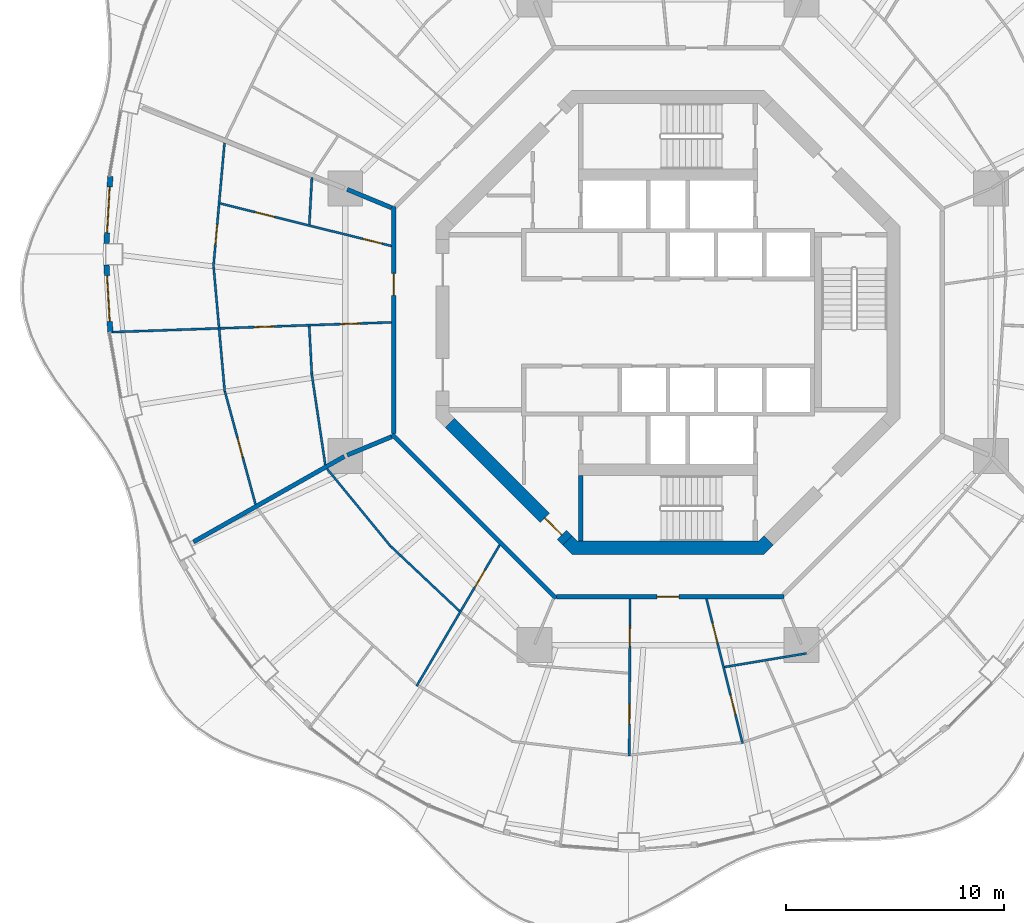
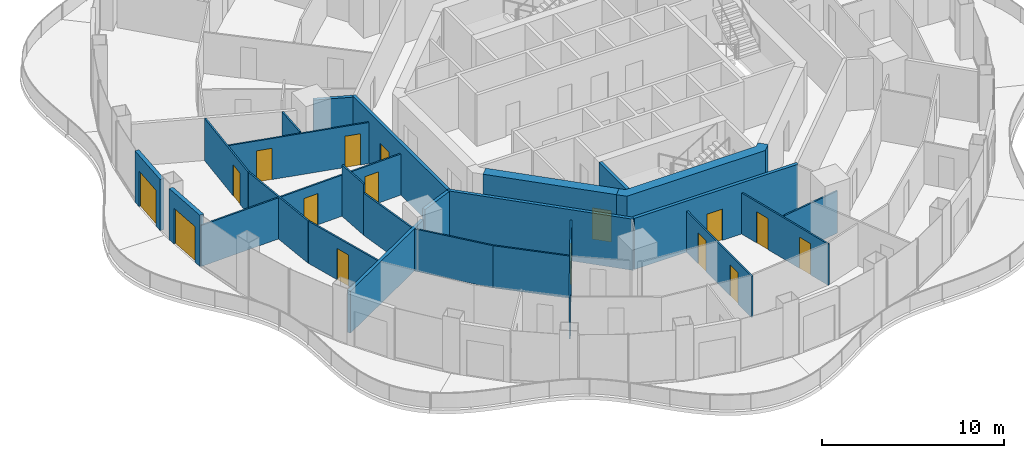
# One storey, part 10 of 18: 25 walls, 16 doors, 16 openings.
"""IFC4 building model written with IfcOpenShell, lengths in metres."""

import ifcopenshell
import ifcopenshell.guid

model = None  # the IFC model being written
_history = None  # IfcOwnerHistory: only IFC2X3 demands one
_inside = {}  # id of a spatial element -> (the spatial element, [elements in it])
_under = {}  # id of a project, library or spatial element -> (it, [spatial elements below it])
_declared = {}  # id of a project -> (the project, [libraries it declares])
_typed = {}  # id of a type object -> (the type object, [elements of that type])
_made_of = {}  # id of a material, layer set ... -> (it, [elements and type objects made of it])


def new_model(schema):
    """Start an empty IFC model of exactly this schema.

    Asked for "IFC4X3", IfcOpenShell would pick the latest addendum, in which some entities
    have other attributes; the version numbers below select the first issue.
    IFC2X3 requires an IfcOwnerHistory on every rooted entity: one is made here for all.
    """
    global model, _history
    if schema == "IFC4X3":
        model = ifcopenshell.file(schema_version=(4, 3, 0, 0))
    else:
        model = ifcopenshell.file(schema=schema)
    _inside.clear()
    _under.clear()
    _declared.clear()
    _typed.clear()
    _made_of.clear()
    _history = None
    if model.schema == "IFC2X3":
        org = make("IfcOrganization", Name="unknown")
        user = make(
            "IfcPersonAndOrganization",
            ThePerson=make("IfcPerson", FamilyName="unknown"),
            TheOrganization=org,
        )
        app = make(
            "IfcApplication",
            ApplicationDeveloper=org,
            Version="unknown",
            ApplicationFullName="unknown",
            ApplicationIdentifier="unknown",
        )
        _history = make(
            "IfcOwnerHistory",
            OwningUser=user,
            OwningApplication=app,
            ChangeAction="ADDED",
            CreationDate=0,
        )
    return model


def make(cls, **values):
    """One entity of the class cls with the attributes given. An attribute that is None is left unset."""
    return model.create_entity(
        cls, **{name: value for name, value in values.items() if value is not None}
    )


def rooted(cls, **values):
    """An entity with a GlobalId (a new one), such as an element, a storey or a relation."""
    return make(cls, GlobalId=ifcopenshell.guid.new(), OwnerHistory=_history, **values)


def si_unit(unit_type, name, prefix=None):
    """IfcSIUnit, for example si_unit("LENGTHUNIT", "METRE", prefix="MILLI")."""
    return make("IfcSIUnit", UnitType=unit_type, Prefix=prefix, Name=name)


def assignment(units):
    """IfcUnitAssignment: the units of a project."""
    return None if units is None else make("IfcUnitAssignment", Units=units)


def point(xyz):
    """IfcCartesianPoint."""
    return None if xyz is None else make("IfcCartesianPoint", Coordinates=xyz)


def direction(xyz):
    """IfcDirection."""
    return None if xyz is None else make("IfcDirection", DirectionRatios=xyz)


def frame(location, z_axis=None, x_axis=None):
    """IfcAxis2Placement3D, a coordinate frame: its origin and axes. An axis left out is left unset."""
    return make(
        "IfcAxis2Placement3D",
        Location=point(location),
        Axis=direction(z_axis),
        RefDirection=direction(x_axis),
    )


def frame_2d(location, x_axis=None):
    """IfcAxis2Placement2D, a coordinate frame in the plane: its origin and x axis."""
    return make(
        "IfcAxis2Placement2D", Location=point(location), RefDirection=direction(x_axis)
    )


def origin():
    """The frame at (0, 0, 0) with its axes left unset."""
    return frame((0.0, 0.0, 0.0))


def place(relative_to, where):
    """IfcLocalPlacement: puts the frame where relative to a parent placement (None: the world)."""
    return make(
        "IfcLocalPlacement", PlacementRelTo=relative_to, RelativePlacement=where
    )


def context(
    kind, dimensions, precision=None, world=None, true_north=None, identifier=None
):
    """IfcGeometricRepresentationContext, for example the 3D "Model" context."""
    return make(
        "IfcGeometricRepresentationContext",
        ContextIdentifier=identifier,
        ContextType=kind,
        CoordinateSpaceDimension=dimensions,
        Precision=precision,
        WorldCoordinateSystem=world,
        TrueNorth=true_north,
    )


def subcontext(parent, identifier, kind, view, scale=None):
    """IfcGeometricRepresentationSubContext, for example "Body" below "Model"."""
    return make(
        "IfcGeometricRepresentationSubContext",
        ContextIdentifier=identifier,
        ContextType=kind,
        ParentContext=parent,
        TargetScale=scale,
        TargetView=view,
    )


def project(units=None, contexts=None):
    """IfcProject with its units and contexts."""
    return rooted(
        "IfcProject",
        Name="project",
        RepresentationContexts=contexts,
        UnitsInContext=assignment(units),
    )


def spatial(cls, under=None, at=None, **own):
    """A site, building, storey or space (cls), placed at a placement, below another one or the project."""
    s = rooted(cls, ObjectPlacement=at, **own)
    if under is not None:
        _under.setdefault(under.id(), (under, []))[1].append(s)
    return s


def polyline(points):
    """IfcPolyline through the points."""
    return make("IfcPolyline", Points=[point(p) for p in points])


def profile(cls, at=None, kind="AREA", **sizes):
    """A parametric profile (cls). Its sizes go by their IFC names, for example OverallWidth=200.0."""
    return make(cls, ProfileType=kind, Position=at, **sizes)


def rectangle(**sizes):
    """IfcRectangleProfileDef."""
    return profile("IfcRectangleProfileDef", **sizes)


def outline(outer, holes=None, kind="AREA"):
    """IfcArbitraryClosedProfileDef: a profile drawn as a closed curve; with holes, ...WithVoids."""
    if holes is None:
        return make("IfcArbitraryClosedProfileDef", ProfileType=kind, OuterCurve=outer)
    return make(
        "IfcArbitraryProfileDefWithVoids",
        ProfileType=kind,
        OuterCurve=outer,
        InnerCurves=holes,
    )


def extrude(swept, where, along, depth):
    """IfcExtrudedAreaSolid: the profile swept, set in the frame where, extruded along a direction by depth."""
    return make(
        "IfcExtrudedAreaSolid",
        SweptArea=swept,
        Position=where,
        ExtrudedDirection=direction(along),
        Depth=depth,
    )


def shape(context_of_items, identifier, shape_type, items):
    """IfcShapeRepresentation: the items that make up one representation, for example the "Body"."""
    return make(
        "IfcShapeRepresentation",
        ContextOfItems=context_of_items,
        RepresentationIdentifier=identifier,
        RepresentationType=shape_type,
        Items=items,
    )


def material(Name=None, Category=None):
    """IfcMaterial."""
    return make("IfcMaterial", Name=Name, Category=Category)


def layer(
    of_material, thickness, ventilated=None, Name=None, Category=None, Priority=None
):
    """IfcMaterialLayer: one layer of a wall or slab, of a material (None: an air gap)."""
    return make(
        "IfcMaterialLayer",
        Material=of_material,
        LayerThickness=thickness,
        IsVentilated=ventilated,
        Name=Name,
        Category=Category,
        Priority=Priority,
    )


def layer_set(layers, Name=None):
    """IfcMaterialLayerSet."""
    return make("IfcMaterialLayerSet", MaterialLayers=layers, LayerSetName=Name)


def made_of(thing, what):
    """Note that an element or type object is made of a material, layer set ...; save() writes the relation."""
    if what is not None:
        _made_of.setdefault(what.id(), (what, []))[1].append(thing)
    return thing


def type_object(cls, material=None, **own):
    """A type object (cls), such as IfcWallType, which elements share."""
    return made_of(rooted(cls, **own), material)


def element(
    cls,
    number,
    at=None,
    inside=None,
    cuts=None,
    type_object=None,
    material=None,
    context=None,
    identifier="Body",
    shape_type=None,
    held_by="IfcProductDefinitionShape",
    body=None,
    shapes=None,
    **own,
):
    """One element of the class cls, such as IfcWall. Its Tag is "e" and its number.

    at: its placement. inside: the storey or other place that contains it. cuts: it is an
    opening in that element (IfcRelVoidsElement). A single representation is given by context,
    identifier, shape_type and body (its items); several are given by shapes. held_by: the class
    of the entity that holds the representations. save() writes the other relations.
    """
    e = rooted(cls, Tag="e%d" % number, ObjectPlacement=at, **own)
    if body is not None:
        shapes = [shape(context, identifier, shape_type, body)]
    if shapes is not None:
        e.Representation = make(held_by, Representations=shapes)
    if inside is not None:
        _inside.setdefault(inside.id(), (inside, []))[1].append(e)
    if cuts is not None:
        rooted(
            "IfcRelVoidsElement", RelatingBuildingElement=cuts, RelatedOpeningElement=e
        )
    if type_object is not None:
        _typed.setdefault(type_object.id(), (type_object, []))[1].append(e)
    return made_of(e, material)


def fill(opening, filler):
    """IfcRelFillsElement: the door or window that sits in an opening."""
    return rooted(
        "IfcRelFillsElement",
        RelatingOpeningElement=opening,
        RelatedBuildingElement=filler,
    )


def aggregate(whole, parts):
    """IfcRelAggregates: a whole, such as a stair, and the parts it consists of."""
    return rooted("IfcRelAggregates", RelatingObject=whole, RelatedObjects=parts)


def save(model, path):
    """Write the relations noted so far, then the file.

    IfcRelAggregates (storeys below a building ...), IfcRelContainedInSpatialStructure (elements
    in a storey), IfcRelDefinesByType, IfcRelAssociatesMaterial and IfcRelDeclares: one each for
    every whole, place, type object, material and project.
    """
    for whole, parts in _under.values():
        aggregate(whole, parts)
    for where, things in _inside.values():
        rooted(
            "IfcRelContainedInSpatialStructure",
            RelatedElements=things,
            RelatingStructure=where,
        )
    for kind, things in _typed.values():
        rooted("IfcRelDefinesByType", RelatedObjects=things, RelatingType=kind)
    for what, things in _made_of.values():
        rooted("IfcRelAssociatesMaterial", RelatedObjects=things, RelatingMaterial=what)
    for by, libraries in _declared.values():
        rooted("IfcRelDeclares", RelatingContext=by, RelatedDefinitions=libraries)
    model.write(path)


model = new_model("IFC4")

# Units and contexts
model_context = context("Model", 3, precision=1e-05, world=origin(), true_north=direction((0.0, 1.0)))
body_context = subcontext(model_context, "Body", "Model", "MODEL_VIEW")
ifc_project = project(units=[si_unit("LENGTHUNIT", "METRE"), si_unit("AREAUNIT", "SQUARE_METRE"), si_unit("VOLUMEUNIT", "CUBIC_METRE"), si_unit("PLANEANGLEUNIT", "RADIAN"), si_unit("MASSUNIT", "GRAM", prefix="KILO")], contexts=[model_context])

# Site, building, storey
site_placement = place(None, origin())
site = spatial("IfcSite", under=ifc_project, at=site_placement, CompositionType="ELEMENT")
building_placement = place(site_placement, origin())
building = spatial("IfcBuilding", under=site, at=building_placement, Name="Nagisa Residences", CompositionType="ELEMENT")
storey_placement = place(building_placement, frame((0.0, 0.0, 227.0)))
storey = spatial("IfcBuildingStorey", under=building, at=storey_placement, Name="L57", CompositionType="ELEMENT", Elevation=227.0)

# Walls
ifc_material_1 = material(Name="Gypsum board on steel studs", Category="steel")
ifc_layer_1 = layer(ifc_material_1, 0.199951171875)
ifc_layer_set_1 = layer_set([ifc_layer_1], Name="Apartment compartment wall EI60 200")
wall_type_1 = type_object("IfcWallType", Name="Apartment compartment wall EI60 200", PredefinedType="PARTITIONING", material=ifc_layer_set_1)
for number, where, z_axis, x_axis, name in (
    (1, (-12.6572265625, 5.24267578125, 0.0), (0.0, 0.0, 1.0), (-0.923859888513, 0.38273085373, 0.0), "wall:L57:u02"),
    (2, (-12.6572265625, -5.24267578125, 0.0), (0.0, 0.0, 1.0), (-0.923859888513, -0.38273085373, 0.0), "wall:L57:u04"),
):
    element("IfcWall", number, at=place(storey_placement, frame(where, z_axis=z_axis, x_axis=x_axis)), inside=storey, type_object=wall_type_1, Name=name, PredefinedType="PARTITIONING", context=body_context, shape_type="SweptSolid", body=[
        extrude(rectangle(XDim=2.199462890625, YDim=0.199951171875, at=frame_2d((1.099609375, 0.0))), origin(), (0.0, 0.0, 1.0), 3.43994140625),
    ])
wall_1_placement = place(storey_placement, frame((-14.825439453125, -6.147705078125, 0.0), z_axis=(0.0, 0.0, 1.0), x_axis=(-0.870099576105, -0.492875975944, 0.0)))
element("IfcWall", 3, at=wall_1_placement, inside=storey, type_object=wall_type_1, Name="wall:L57:u05", PredefinedType="PARTITIONING", context=body_context, shape_type="SweptSolid", body=[
    extrude(rectangle(XDim=7.937255859375, YDim=0.199951171875, at=frame_2d((3.96875, 0.0))), origin(), (0.0, 0.0, 1.0), 2.8369140625),
])

# Wall, opening, door
ifc_material_2 = material(Name="Gypsum board on steel studs", Category="steel")
ifc_layer_2 = layer(ifc_material_2, 0.199951171875)
ifc_layer_set_2 = layer_set([ifc_layer_2], Name="Apartment entry wall EI60 200")
wall_type_2 = type_object("IfcWallType", Name="Apartment entry wall EI60 200", PredefinedType="PARTITIONING", material=ifc_layer_set_2)
wall_2_placement = place(storey_placement, frame((-12.564697265625, 5.304443359375, 0.0), z_axis=(0.0, 0.0, 1.0), x_axis=(0.0, -1.0, 0.0)))
wall_2 = element("IfcWall", 4, at=wall_2_placement, inside=storey, type_object=wall_type_2, Name="wall:L57:u12", PredefinedType="PARTITIONING", context=body_context, shape_type="SweptSolid", body=[
    extrude(rectangle(XDim=10.408935546875, YDim=0.199951171875, at=frame_2d((5.20458984375, 0.0))), origin(), (0.0, 0.0, 1.0), 3.43994140625),
])
opening_1_placement = place(wall_2_placement, frame((3.069580078125, 0.0, 0.0)))
opening_1 = element("IfcOpeningElement", 5, at=opening_1_placement, cuts=wall_2, Name="Opening L57-U08", PredefinedType="OPENING", context=body_context, shape_type="SweptSolid", body=[
    extrude(rectangle(XDim=1.0, YDim=2.10009765625, at=frame_2d((0.5, 1.050048828125))), frame((0.0, 0.10986328125, 0.0), z_axis=(0.0, -1.0, 0.0), x_axis=(1.0, 0.0, 0.0)), (0.0, 0.0, 1.0), 0.219970703125),
])
ifc_material_3 = material(Name="Timber fire door set", Category="wood")
door_type_1 = type_object("IfcDoorType", Name="Apartment entry door FD30S 1000x2100", OperationType="NOTDEFINED", PredefinedType="DOOR", material=ifc_material_3)
door_1_placement = place(opening_1_placement, frame((1.0, 0.0, 0.0), x_axis=(-1.0, 0.0, 0.0)))
door_1 = element("IfcDoor", 6, at=door_1_placement, inside=storey, type_object=door_type_1, Name="Entry door, Apartment 57B", OperationType="SINGLE_SWING_LEFT", OverallHeight=2.10009765625, OverallWidth=1.0, PredefinedType="DOOR", context=body_context, shape_type="SweptSolid", body=[
    extrude(rectangle(XDim=1.0, YDim=2.10009765625, at=frame_2d((0.5, 1.050048828125))), frame((0.0, 0.02490234375, 0.0), z_axis=(0.0, -1.0, 0.0), x_axis=(1.0, 0.0, 0.0)), (0.0, 0.0, 1.0), 0.050048828125),
])
fill(opening_1, door_1)

# Wall
wall_3_placement = place(storey_placement, frame((-12.635498046875, -5.1337890625, 0.0), z_axis=(0.0, 0.0, 1.0), x_axis=(0.707106781187, -0.707106781187, 0.0)))
element("IfcWall", 7, at=wall_3_placement, inside=storey, type_object=wall_type_2, Name="wall:L57:u13", PredefinedType="PARTITIONING", context=body_context, shape_type="SweptSolid", body=[
    extrude(rectangle(XDim=10.609130859375, YDim=0.199951171875, at=frame_2d((5.3046875, 0.0))), origin(), (0.0, 0.0, 1.0), 3.43994140625),
])

# Wall, opening, door
wall_4_placement = place(storey_placement, frame((-5.1044921875, -12.564697265625, 0.0), z_axis=(0.0, 0.0, 1.0), x_axis=(1.0, 0.0, 0.0)))
wall_4 = element("IfcWall", 8, at=wall_4_placement, inside=storey, type_object=wall_type_2, Name="wall:L57:u14", PredefinedType="PARTITIONING", context=body_context, shape_type="SweptSolid", body=[
    extrude(rectangle(XDim=10.408935546875, YDim=0.199951171875, at=frame_2d((5.20458984375, 0.0))), origin(), (0.0, 0.0, 1.0), 3.43994140625),
])
opening_2_placement = place(wall_4_placement, frame((4.6044921875, 0.0, 0.0)))
opening_2 = element("IfcOpeningElement", 9, at=opening_2_placement, cuts=wall_4, Name="Opening L57-U15", PredefinedType="OPENING", context=body_context, shape_type="SweptSolid", body=[
    extrude(rectangle(XDim=1.0, YDim=2.10009765625, at=frame_2d((0.5, 1.050048828125))), frame((0.0, 0.10986328125, 0.0), z_axis=(0.0, -1.0, 0.0), x_axis=(1.0, 0.0, 0.0)), (0.0, 0.0, 1.0), 0.219970703125),
])
door_2_placement = place(opening_2_placement, frame((1.0, 0.0, 0.0), x_axis=(-1.0, 0.0, 0.0)))
door_2 = element("IfcDoor", 10, at=door_2_placement, inside=storey, type_object=door_type_1, Name="Entry door, Apartment 57C", OperationType="SINGLE_SWING_RIGHT", OverallHeight=2.10009765625, OverallWidth=1.0, PredefinedType="DOOR", context=body_context, shape_type="SweptSolid", body=[
    extrude(rectangle(XDim=1.0, YDim=2.10009765625, at=frame_2d((0.5, 1.050048828125))), frame((0.0, 0.02490234375, 0.0), z_axis=(0.0, -1.0, 0.0), x_axis=(1.0, 0.0, 0.0)), (0.0, 0.0, 1.0), 0.050048828125),
])
fill(opening_2, door_2)

# Wall
ifc_material_4 = material(Name="Gypsum board on steel studs", Category="steel")
ifc_layer_3 = layer(ifc_material_4, 0.10009765625)
ifc_layer_set_3 = layer_set([ifc_layer_3], Name="Apartment partition 100")
wall_type_3 = type_object("IfcWallType", Name="Apartment partition 100", PredefinedType="PARTITIONING", material=ifc_layer_set_3)
wall_5_placement = place(storey_placement, frame((-16.306884765625, 6.62744140625, 0.0), z_axis=(0.0, 0.0, 1.0), x_axis=(-0.055608865939, -0.998452629837, 0.0)))
element("IfcWall", 11, at=wall_5_placement, inside=storey, type_object=wall_type_3, Name="wall:L57:u54", PredefinedType="PARTITIONING", context=body_context, shape_type="SweptSolid", body=[
    extrude(rectangle(XDim=2.142578125, YDim=0.10009765625, at=frame_2d((1.0712890625, 0.0))), origin(), (0.0, 0.0, 1.0), 2.8369140625),
])

# Wall, opening, door
wall_6_placement = place(storey_placement, frame((-20.3095703125, 8.21826171875, 0.0), z_axis=(0.0, 0.0, 1.0), x_axis=(-0.089284106956, -0.996006198899, 0.0)))
wall_6 = element("IfcWall", 12, at=wall_6_placement, inside=storey, type_object=wall_type_3, Name="wall:L57:u55", PredefinedType="PARTITIONING", context=body_context, shape_type="SweptSolid", body=[
    extrude(rectangle(XDim=5.698486328125, YDim=0.10009765625, at=frame_2d((2.84912109375, 0.0))), origin(), (0.0, 0.0, 1.0), 2.8369140625),
])
opening_3_placement = place(wall_6_placement, frame((3.761474609375, 0.0, 0.0)))
opening_3 = element("IfcOpeningElement", 13, at=opening_3_placement, cuts=wall_6, Name="Opening L57-U13", PredefinedType="OPENING", context=body_context, shape_type="SweptSolid", body=[
    extrude(rectangle(XDim=0.89990234375, YDim=2.10009765625, at=frame_2d((0.449951171875, 1.050048828125))), frame((0.0, 0.06005859375, 0.0), z_axis=(0.0, -1.0, 0.0), x_axis=(1.0, 0.0, 0.0)), (0.0, 0.0, 1.0), 0.1201171875),
])
ifc_material_5 = material(Name="Timber door set", Category="wood")
door_type_2 = type_object("IfcDoorType", Name="Apartment door 900x2100", OperationType="NOTDEFINED", PredefinedType="DOOR", material=ifc_material_5)
door_3_placement = place(opening_3_placement, frame((0.89990234375, 0.0, 0.0), x_axis=(-1.0, 0.0, 0.0)))
door_3 = element("IfcDoor", 14, at=door_3_placement, inside=storey, type_object=door_type_2, Name="Door to master bedroom, Apartment 57B", OperationType="SINGLE_SWING_RIGHT", OverallHeight=2.10009765625, OverallWidth=0.89990234375, PredefinedType="DOOR", context=body_context, shape_type="SweptSolid", body=[
    extrude(rectangle(XDim=0.89990234375, YDim=2.10009765625, at=frame_2d((0.449951171875, 1.050048828125))), frame((0.0, 0.02490234375, 0.0), z_axis=(0.0, -1.0, 0.0), x_axis=(1.0, 0.0, 0.0)), (0.0, 0.0, 1.0), 0.050048828125),
])
fill(opening_3, door_3)

# Wall, openings, doors
wall_7_placement = place(storey_placement, frame((-12.661865234375, 3.49365234375, 0.0), z_axis=(0.0, 0.0, 1.0), x_axis=(-0.970505526029, 0.241078874951, 0.0)))
wall_7 = element("IfcWall", 15, at=wall_7_placement, inside=storey, type_object=wall_type_3, Name="wall:L57:u56", PredefinedType="PARTITIONING", context=body_context, shape_type="SweptSolid", body=[
    extrude(rectangle(XDim=8.08544921875, YDim=0.10009765625, at=frame_2d((4.042724609375, 0.0))), origin(), (0.0, 0.0, 1.0), 2.761962890625),
])
opening_4_placement = place(wall_7_placement, frame((0.464111328125, 0.0, 0.0)))
opening_4 = element("IfcOpeningElement", 16, at=opening_4_placement, cuts=wall_7, Name="Opening L57-U09", PredefinedType="OPENING", context=body_context, shape_type="SweptSolid", body=[
    extrude(rectangle(XDim=0.89990234375, YDim=2.10009765625, at=frame_2d((0.449951171875, 1.050048828125))), frame((0.0, 0.06005859375, 0.0), z_axis=(0.0, -1.0, 0.0), x_axis=(1.0, 0.0, 0.0)), (0.0, 0.0, 1.0), 0.1201171875),
])
opening_5_placement = place(wall_7_placement, frame((5.53466796875, 0.0, 0.0)))
opening_5 = element("IfcOpeningElement", 17, at=opening_5_placement, cuts=wall_7, Name="Opening L57-U11", PredefinedType="OPENING", context=body_context, shape_type="SweptSolid", body=[
    extrude(rectangle(XDim=0.89990234375, YDim=2.10009765625, at=frame_2d((0.449951171875, 1.050048828125))), frame((0.0, 0.06005859375, 0.0), z_axis=(0.0, -1.0, 0.0), x_axis=(1.0, 0.0, 0.0)), (0.0, 0.0, 1.0), 0.1201171875),
])
door_4_placement = place(opening_4_placement, frame((0.89990234375, 0.0, 0.0), x_axis=(-1.0, 0.0, 0.0)))
door_4 = element("IfcDoor", 18, at=door_4_placement, inside=storey, type_object=door_type_2, Name="Door to family bathroom, Apartment 57B", OperationType="SINGLE_SWING_RIGHT", OverallHeight=2.10009765625, OverallWidth=0.89990234375, PredefinedType="DOOR", context=body_context, shape_type="SweptSolid", body=[
    extrude(rectangle(XDim=0.89990234375, YDim=2.10009765625, at=frame_2d((0.449951171875, 1.050048828125))), frame((0.0, 0.02490234375, 0.0), z_axis=(0.0, -1.0, 0.0), x_axis=(1.0, 0.0, 0.0)), (0.0, 0.0, 1.0), 0.050048828125),
])
fill(opening_4, door_4)
door_5_placement = place(opening_5_placement, frame((0.89990234375, 0.0, 0.0), x_axis=(-1.0, 0.0, 0.0)))
door_5 = element("IfcDoor", 19, at=door_5_placement, inside=storey, type_object=door_type_2, Name="Door to family bathroom, Apartment 57B", OperationType="SINGLE_SWING_RIGHT", OverallHeight=2.10009765625, OverallWidth=0.89990234375, PredefinedType="DOOR", context=body_context, shape_type="SweptSolid", body=[
    extrude(rectangle(XDim=0.89990234375, YDim=2.10009765625, at=frame_2d((0.449951171875, 1.050048828125))), frame((0.0, 0.02490234375, 0.0), z_axis=(0.0, -1.0, 0.0), x_axis=(1.0, 0.0, 0.0)), (0.0, 0.0, 1.0), 0.050048828125),
])
fill(opening_5, door_5)

# Wall
wall_8_placement = place(storey_placement, frame((-20.8095703125, 2.54248046875, 0.0), z_axis=(0.0, 0.0, 1.0), x_axis=(0.088651453697, -0.996062708748, 0.0)))
element("IfcWall", 20, at=wall_8_placement, inside=storey, type_object=wall_type_3, Name="wall:L57:u57", PredefinedType="PARTITIONING", context=body_context, shape_type="SweptSolid", body=[
    extrude(rectangle(XDim=5.736572265625, YDim=0.10009765625, at=frame_2d((2.8681640625, 0.0))), origin(), (0.0, 0.0, 1.0), 2.8369140625),
])

# Wall, openings, doors
wall_9_placement = place(storey_placement, frame((-12.664794921875, -0.00341796875, 0.0), z_axis=(0.0, 0.0, 1.0), x_axis=(-0.999390583608, -0.034906466382, 0.0)))
wall_9 = element("IfcWall", 21, at=wall_9_placement, inside=storey, type_object=wall_type_3, Name="wall:L57:u58", PredefinedType="PARTITIONING", context=body_context, shape_type="SweptSolid", body=[
    extrude(rectangle(XDim=12.967041015625, YDim=0.10009765625, at=frame_2d((6.4833984375, 0.0))), origin(), (0.0, 0.0, 1.0), 2.761962890625),
])
opening_6_placement = place(wall_9_placement, frame((1.435302734375, 0.0, 0.0)))
opening_6 = element("IfcOpeningElement", 22, at=opening_6_placement, cuts=wall_9, Name="Opening L57-U10", PredefinedType="OPENING", context=body_context, shape_type="SweptSolid", body=[
    extrude(rectangle(XDim=0.89990234375, YDim=2.10009765625, at=frame_2d((0.449951171875, 1.050048828125))), frame((0.0, 0.06005859375, 0.0), z_axis=(0.0, -1.0, 0.0), x_axis=(1.0, 0.0, 0.0)), (0.0, 0.0, 1.0), 0.1201171875),
])
opening_7_placement = place(wall_9_placement, frame((5.385009765625, 0.0, 0.0)))
opening_7 = element("IfcOpeningElement", 23, at=opening_7_placement, cuts=wall_9, Name="Opening L57-U12", PredefinedType="OPENING", context=body_context, shape_type="SweptSolid", body=[
    extrude(rectangle(XDim=0.89990234375, YDim=2.10009765625, at=frame_2d((0.449951171875, 1.050048828125))), frame((0.0, 0.06005859375, 0.0), z_axis=(0.0, -1.0, 0.0), x_axis=(1.0, 0.0, 0.0)), (0.0, 0.0, 1.0), 0.1201171875),
])
door_6_placement = place(opening_6_placement, origin())
door_6 = element("IfcDoor", 24, at=door_6_placement, inside=storey, type_object=door_type_2, Name="Door to store, Apartment 57B", OperationType="SINGLE_SWING_RIGHT", OverallHeight=2.10009765625, OverallWidth=0.89990234375, PredefinedType="DOOR", context=body_context, shape_type="SweptSolid", body=[
    extrude(rectangle(XDim=0.89990234375, YDim=2.10009765625, at=frame_2d((0.449951171875, 1.050048828125))), frame((0.0, 0.02490234375, 0.0), z_axis=(0.0, -1.0, 0.0), x_axis=(1.0, 0.0, 0.0)), (0.0, 0.0, 1.0), 0.050048828125),
])
fill(opening_6, door_6)
door_7_placement = place(opening_7_placement, origin())
door_7 = element("IfcDoor", 25, at=door_7_placement, inside=storey, type_object=door_type_2, Name="Door to kitchen, Apartment 57B", OperationType="SINGLE_SWING_RIGHT", OverallHeight=2.10009765625, OverallWidth=0.89990234375, PredefinedType="DOOR", context=body_context, shape_type="SweptSolid", body=[
    extrude(rectangle(XDim=0.89990234375, YDim=2.10009765625, at=frame_2d((0.449951171875, 1.050048828125))), frame((0.0, 0.02490234375, 0.0), z_axis=(0.0, -1.0, 0.0), x_axis=(1.0, 0.0, 0.0)), (0.0, 0.0, 1.0), 0.050048828125),
])
fill(opening_7, door_7)

# Walls
wall_10_placement = place(storey_placement, frame((-16.4306640625, -0.177978515625, 0.0), z_axis=(0.0, 0.0, 1.0), x_axis=(0.053951127036, -0.998543577362, 0.0)))
element("IfcWall", 26, at=wall_10_placement, inside=storey, type_object=wall_type_3, Name="wall:L57:u59", PredefinedType="PARTITIONING", context=body_context, shape_type="SweptSolid", body=[
    extrude(rectangle(XDim=2.18115234375, YDim=0.10009765625, at=frame_2d((1.090576171875, 0.0))), origin(), (0.0, 0.0, 1.0), 3.43994140625),
])
wall_11_placement = place(storey_placement, frame((-16.317626953125, -2.3564453125, 0.0), z_axis=(0.0, 0.0, 1.0), x_axis=(0.147684413341, -0.989034536331, 0.0)))
element("IfcWall", 27, at=wall_11_placement, inside=storey, type_object=wall_type_3, Name="wall:L57:u60", PredefinedType="PARTITIONING", context=body_context, shape_type="SweptSolid", body=[
    extrude(rectangle(XDim=4.22216796875, YDim=0.10009765625, at=frame_2d((2.111083984375, 0.0))), origin(), (0.0, 0.0, 1.0), 2.8369140625),
])

# Wall, opening, door
wall_12_placement = place(storey_placement, frame((-20.29248046875, -3.169677734375, 0.0), z_axis=(0.0, 0.0, 1.0), x_axis=(0.26187906236, -0.965100697698, 0.0)))
wall_12 = element("IfcWall", 28, at=wall_12_placement, inside=storey, type_object=wall_type_3, Name="wall:L57:u61", PredefinedType="PARTITIONING", context=body_context, shape_type="SweptSolid", body=[
    extrude(rectangle(XDim=5.35595703125, YDim=0.10009765625, at=frame_2d((2.677978515625, 0.0))), origin(), (0.0, 0.0, 1.0), 2.8369140625),
])
opening_8_placement = place(wall_12_placement, frame((2.227783203125, 0.0, 0.0)))
opening_8 = element("IfcOpeningElement", 29, at=opening_8_placement, cuts=wall_12, Name="Opening L57-U14", PredefinedType="OPENING", context=body_context, shape_type="SweptSolid", body=[
    extrude(rectangle(XDim=0.89990234375, YDim=2.10009765625, at=frame_2d((0.449951171875, 1.050048828125))), frame((0.0, 0.06005859375, 0.0), z_axis=(0.0, -1.0, 0.0), x_axis=(1.0, 0.0, 0.0)), (0.0, 0.0, 1.0), 0.1201171875),
])
door_8_placement = place(opening_8_placement, frame((0.89990234375, 0.0, 0.0), x_axis=(-1.0, 0.0, 0.0)))
door_8 = element("IfcDoor", 30, at=door_8_placement, inside=storey, type_object=door_type_2, Name="Door to family room, Apartment 57B", OperationType="SINGLE_SWING_LEFT", OverallHeight=2.10009765625, OverallWidth=0.89990234375, PredefinedType="DOOR", context=body_context, shape_type="SweptSolid", body=[
    extrude(rectangle(XDim=0.89990234375, YDim=2.10009765625, at=frame_2d((0.449951171875, 1.050048828125))), frame((0.0, 0.02490234375, 0.0), z_axis=(0.0, -1.0, 0.0), x_axis=(1.0, 0.0, 0.0)), (0.0, 0.0, 1.0), 0.050048828125),
])
fill(opening_8, door_8)

# Walls
wall_13_placement = place(storey_placement, frame((-15.615966796875, -6.70849609375, 0.0), z_axis=(0.0, 0.0, 1.0), x_axis=(0.634076422357, -0.773270386483, 0.0)))
element("IfcWall", 31, at=wall_13_placement, inside=storey, type_object=wall_type_3, Name="wall:L57:u62", PredefinedType="PARTITIONING", context=body_context, shape_type="SweptSolid", body=[
    extrude(rectangle(XDim=4.611083984375, YDim=0.10009765625, at=frame_2d((2.3056640625, 0.0))), origin(), (0.0, 0.0, 1.0), 2.8369140625),
])
wall_14_placement = place(storey_placement, frame((-12.6875, -10.269775390625, 0.0), z_axis=(0.0, 0.0, 1.0), x_axis=(0.728268142903, -0.685292282192, 0.0)))
element("IfcWall", 32, at=wall_14_placement, inside=storey, type_object=wall_type_3, Name="wall:L57:u64", PredefinedType="PARTITIONING", context=body_context, shape_type="SweptSolid", body=[
    extrude(rectangle(XDim=4.311767578125, YDim=0.10009765625, at=frame_2d((2.15576171875, 0.0))), origin(), (0.0, 0.0, 1.0), 2.8369140625),
])

# Wall, opening, door
wall_15_placement = place(storey_placement, frame((-7.708740234375, -10.197509765625, 0.0), z_axis=(0.0, 0.0, 1.0), x_axis=(-0.507362999545, -0.861732433353, 0.0)))
wall_15 = element("IfcWall", 33, at=wall_15_placement, inside=storey, type_object=wall_type_3, Name="wall:L57:u67", PredefinedType="PARTITIONING", context=body_context, shape_type="SweptSolid", body=[
    extrude(rectangle(XDim=7.49853515625, YDim=0.10009765625, at=frame_2d((3.749267578125, 0.0))), origin(), (0.0, 0.0, 1.0), 2.761962890625),
])
opening_9_placement = place(wall_15_placement, frame((1.326171875, 0.0, 0.0)))
opening_9 = element("IfcOpeningElement", 34, at=opening_9_placement, cuts=wall_15, Name="Opening L57-U29", PredefinedType="OPENING", context=body_context, shape_type="SweptSolid", body=[
    extrude(rectangle(XDim=0.89990234375, YDim=2.10009765625, at=frame_2d((0.449951171875, 1.050048828125))), frame((0.0, 0.06005859375, 0.0), z_axis=(0.0, -1.0, 0.0), x_axis=(1.0, 0.0, 0.0)), (0.0, 0.0, 1.0), 0.1201171875),
])
door_9_placement = place(opening_9_placement, frame((0.89990234375, 0.0, 0.0), x_axis=(-1.0, 0.0, 0.0)))
door_9 = element("IfcDoor", 35, at=door_9_placement, inside=storey, type_object=door_type_2, Name="Door to store, Apartment 57C", OperationType="SINGLE_SWING_RIGHT", OverallHeight=2.10009765625, OverallWidth=0.89990234375, PredefinedType="DOOR", context=body_context, shape_type="SweptSolid", body=[
    extrude(rectangle(XDim=0.89990234375, YDim=2.10009765625, at=frame_2d((0.449951171875, 1.050048828125))), frame((0.0, 0.02490234375, 0.0), z_axis=(0.0, -1.0, 0.0), x_axis=(1.0, 0.0, 0.0)), (0.0, 0.0, 1.0), 0.050048828125),
])
fill(opening_9, door_9)

# Wall, openings, doors
wall_16_placement = place(storey_placement, frame((-1.7353515625, -12.664794921875, 0.0), z_axis=(0.0, 0.0, 1.0), x_axis=(-0.005554152823, -0.999984575574, 0.0)))
wall_16 = element("IfcWall", 36, at=wall_16_placement, inside=storey, type_object=wall_type_3, Name="wall:L57:u74", PredefinedType="PARTITIONING", context=body_context, shape_type="SweptSolid", body=[
    extrude(rectangle(XDim=7.208740234375, YDim=0.10009765625, at=frame_2d((3.6044921875, 0.0))), origin(), (0.0, 0.0, 1.0), 2.761962890625),
])
opening_10_placement = place(wall_16_placement, frame((1.256103515625, 0.0, 0.0)))
opening_10 = element("IfcOpeningElement", 37, at=opening_10_placement, cuts=wall_16, Name="Opening L57-U16", PredefinedType="OPENING", context=body_context, shape_type="SweptSolid", body=[
    extrude(rectangle(XDim=0.89990234375, YDim=2.10009765625, at=frame_2d((0.449951171875, 1.050048828125))), frame((0.0, 0.06005859375, 0.0), z_axis=(0.0, -1.0, 0.0), x_axis=(1.0, 0.0, 0.0)), (0.0, 0.0, 1.0), 0.1201171875),
])
opening_11_placement = place(wall_16_placement, frame((4.835693359375, 0.0, 0.0)))
opening_11 = element("IfcOpeningElement", 38, at=opening_11_placement, cuts=wall_16, Name="Opening L57-U18", PredefinedType="OPENING", context=body_context, shape_type="SweptSolid", body=[
    extrude(rectangle(XDim=0.89990234375, YDim=2.10009765625, at=frame_2d((0.449951171875, 1.050048828125))), frame((0.0, 0.06005859375, 0.0), z_axis=(0.0, -1.0, 0.0), x_axis=(1.0, 0.0, 0.0)), (0.0, 0.0, 1.0), 0.1201171875),
])
door_10_placement = place(opening_10_placement, frame((0.89990234375, 0.0, 0.0), x_axis=(-1.0, 0.0, 0.0)))
door_10 = element("IfcDoor", 39, at=door_10_placement, inside=storey, type_object=door_type_2, Name="Door to store, Apartment 57C", OperationType="SINGLE_SWING_LEFT", OverallHeight=2.10009765625, OverallWidth=0.89990234375, PredefinedType="DOOR", context=body_context, shape_type="SweptSolid", body=[
    extrude(rectangle(XDim=0.89990234375, YDim=2.10009765625, at=frame_2d((0.449951171875, 1.050048828125))), frame((0.0, 0.02490234375, 0.0), z_axis=(0.0, -1.0, 0.0), x_axis=(1.0, 0.0, 0.0)), (0.0, 0.0, 1.0), 0.050048828125),
])
fill(opening_10, door_10)
door_11_placement = place(opening_11_placement, frame((0.89990234375, 0.0, 0.0), x_axis=(-1.0, 0.0, 0.0)))
door_11 = element("IfcDoor", 40, at=door_11_placement, inside=storey, type_object=door_type_2, Name="Door to kitchen, Apartment 57C", OperationType="SINGLE_SWING_LEFT", OverallHeight=2.10009765625, OverallWidth=0.89990234375, PredefinedType="DOOR", context=body_context, shape_type="SweptSolid", body=[
    extrude(rectangle(XDim=0.89990234375, YDim=2.10009765625, at=frame_2d((0.449951171875, 1.050048828125))), frame((0.0, 0.02490234375, 0.0), z_axis=(0.0, -1.0, 0.0), x_axis=(1.0, 0.0, 0.0)), (0.0, 0.0, 1.0), 0.050048828125),
])
fill(opening_11, door_11)

wall_17_placement = place(storey_placement, frame((1.759033203125, -12.661865234375, 0.0), z_axis=(0.0, 0.0, 1.0), x_axis=(0.242653275363, -0.970113079984, 0.0)))
wall_17 = element("IfcWall", 41, at=wall_17_placement, inside=storey, type_object=wall_type_3, Name="wall:L57:u76", PredefinedType="PARTITIONING", context=body_context, shape_type="SweptSolid", body=[
    extrude(rectangle(XDim=6.835693359375, YDim=0.10009765625, at=frame_2d((3.41796875, 0.0))), origin(), (0.0, 0.0, 1.0), 2.761962890625),
])
opening_12_placement = place(wall_17_placement, frame((1.166015625, 0.0, 0.0)))
opening_12 = element("IfcOpeningElement", 42, at=opening_12_placement, cuts=wall_17, Name="Opening L57-U17", PredefinedType="OPENING", context=body_context, shape_type="SweptSolid", body=[
    extrude(rectangle(XDim=0.89990234375, YDim=2.10009765625, at=frame_2d((0.449951171875, 1.050048828125))), frame((0.0, 0.06005859375, 0.0), z_axis=(0.0, -1.0, 0.0), x_axis=(1.0, 0.0, 0.0)), (0.0, 0.0, 1.0), 0.1201171875),
])
opening_13_placement = place(wall_17_placement, frame((4.558837890625, 0.0, 0.0)))
opening_13 = element("IfcOpeningElement", 43, at=opening_13_placement, cuts=wall_17, Name="Opening L57-U19", PredefinedType="OPENING", context=body_context, shape_type="SweptSolid", body=[
    extrude(rectangle(XDim=0.89990234375, YDim=2.10009765625, at=frame_2d((0.449951171875, 1.050048828125))), frame((0.0, 0.06005859375, 0.0), z_axis=(0.0, -1.0, 0.0), x_axis=(1.0, 0.0, 0.0)), (0.0, 0.0, 1.0), 0.1201171875),
])
door_12_placement = place(opening_12_placement, origin())
door_12 = element("IfcDoor", 44, at=door_12_placement, inside=storey, type_object=door_type_2, Name="Door to family bathroom, Apartment 57C", OperationType="SINGLE_SWING_LEFT", OverallHeight=2.10009765625, OverallWidth=0.89990234375, PredefinedType="DOOR", context=body_context, shape_type="SweptSolid", body=[
    extrude(rectangle(XDim=0.89990234375, YDim=2.10009765625, at=frame_2d((0.449951171875, 1.050048828125))), frame((0.0, 0.02490234375, 0.0), z_axis=(0.0, -1.0, 0.0), x_axis=(1.0, 0.0, 0.0)), (0.0, 0.0, 1.0), 0.050048828125),
])
fill(opening_12, door_12)
door_13_placement = place(opening_13_placement, origin())
door_13 = element("IfcDoor", 45, at=door_13_placement, inside=storey, type_object=door_type_2, Name="Door to family bathroom, Apartment 57C", OperationType="SINGLE_SWING_LEFT", OverallHeight=2.10009765625, OverallWidth=0.89990234375, PredefinedType="DOOR", context=body_context, shape_type="SweptSolid", body=[
    extrude(rectangle(XDim=0.89990234375, YDim=2.10009765625, at=frame_2d((0.449951171875, 1.050048828125))), frame((0.0, 0.02490234375, 0.0), z_axis=(0.0, -1.0, 0.0), x_axis=(1.0, 0.0, 0.0)), (0.0, 0.0, 1.0), 0.050048828125),
])
fill(opening_13, door_13)

# Wall
wall_18_placement = place(storey_placement, frame((2.592529296875, -15.788818359375, 0.0), z_axis=(0.0, 0.0, 1.0), x_axis=(0.986381756816, 0.164471972749, 0.0)))
element("IfcWall", 46, at=wall_18_placement, inside=storey, type_object=wall_type_3, Name="wall:L57:u77", PredefinedType="PARTITIONING", context=body_context, shape_type="SweptSolid", body=[
    extrude(rectangle(XDim=3.797119140625, YDim=0.10009765625, at=frame_2d((1.8984375, 0.0))), origin(), (0.0, 0.0, 1.0), 2.8369140625),
])

# Wall, opening, door
ifc_material_6 = material(Name="Precast concrete C40/50", Category="concrete")
ifc_layer_4 = layer(ifc_material_6, 0.25)
ifc_layer_set_4 = layer_set([ifc_layer_4], Name="BALCONY DOOR WALL 250")
wall_type_4 = type_object("IfcWallType", Name="BALCONY DOOR WALL 250", PredefinedType="SOLIDWALL", material=ifc_layer_set_4)
wall_19_placement = place(storey_placement, frame((-25.716552734375, 3.609619140625, 0.0), z_axis=(0.0, 0.0, 1.0), x_axis=(0.057528189427, 0.998343882348, 0.0)))
wall_19 = element("IfcWall", 47, at=wall_19_placement, inside=storey, type_object=wall_type_4, Name="wall:L57:bay23", PredefinedType="SOLIDWALL", context=body_context, shape_type="SweptSolid", body=[
    extrude(rectangle(XDim=3.0810546875, YDim=0.25, at=frame_2d((1.54052734375, 0.0))), origin(), (0.0, 0.0, 1.0), 3.43994140625),
])
opening_14_placement = place(wall_19_placement, frame((0.490478515625, 0.0, 0.0)))
opening_14 = element("IfcOpeningElement", 48, at=opening_14_placement, cuts=wall_19, Name="Opening BD-L57-08", PredefinedType="OPENING", context=body_context, shape_type="SweptSolid", body=[
    extrude(rectangle(XDim=2.10009765625, YDim=2.39990234375, at=frame_2d((1.050048828125, 1.199951171875))), frame((0.0, 0.135009765625, 0.0), z_axis=(0.0, -1.0, 0.0), x_axis=(1.0, 0.0, 0.0)), (0.0, 0.0, 1.0), 0.27001953125),
])
ifc_material_7 = material(Name="Aluminium and clear glass", Category="aluminium")
door_type_3 = type_object("IfcDoorType", Name="BALCONY SLIDING DOOR 2100x2400", OperationType="SLIDING_TO_LEFT", PredefinedType="DOOR", material=ifc_material_7)
door_14_placement = place(opening_14_placement, origin())
door_14 = element("IfcDoor", 49, at=door_14_placement, inside=storey, type_object=door_type_3, Name="door:L57:bay23", OperationType="SLIDING_TO_LEFT", OverallHeight=2.39990234375, OverallWidth=2.10009765625, PredefinedType="DOOR", context=body_context, shape_type="SweptSolid", body=[
    extrude(rectangle(XDim=2.10009765625, YDim=2.39990234375, at=frame_2d((1.050048828125, 1.199951171875))), frame((0.0, 0.02490234375, 0.0), z_axis=(0.0, -1.0, 0.0), x_axis=(1.0, 0.0, 0.0)), (0.0, 0.0, 1.0), 0.050048828125),
])
fill(opening_14, door_14)

wall_20_placement = place(storey_placement, frame((-25.539306640625, -0.4501953125, 0.0), z_axis=(0.0, 0.0, 1.0), x_axis=(-0.057528189427, 0.998343882348, 0.0)))
wall_20 = element("IfcWall", 50, at=wall_20_placement, inside=storey, type_object=wall_type_4, Name="wall:L57:bay24", PredefinedType="SOLIDWALL", context=body_context, shape_type="SweptSolid", body=[
    extrude(rectangle(XDim=3.0810546875, YDim=0.25, at=frame_2d((1.54052734375, 0.0))), origin(), (0.0, 0.0, 1.0), 3.43994140625),
])
opening_15_placement = place(wall_20_placement, frame((0.490478515625, 0.0, 0.0)))
opening_15 = element("IfcOpeningElement", 51, at=opening_15_placement, cuts=wall_20, Name="Opening BD-L57-09", PredefinedType="OPENING", context=body_context, shape_type="SweptSolid", body=[
    extrude(rectangle(XDim=2.10009765625, YDim=2.39990234375, at=frame_2d((1.050048828125, 1.199951171875))), frame((0.0, 0.135009765625, 0.0), z_axis=(0.0, -1.0, 0.0), x_axis=(1.0, 0.0, 0.0)), (0.0, 0.0, 1.0), 0.27001953125),
])
door_15_placement = place(opening_15_placement, origin())
door_15 = element("IfcDoor", 52, at=door_15_placement, inside=storey, type_object=door_type_3, Name="door:L57:bay24", OperationType="SLIDING_TO_LEFT", OverallHeight=2.39990234375, OverallWidth=2.10009765625, PredefinedType="DOOR", context=body_context, shape_type="SweptSolid", body=[
    extrude(rectangle(XDim=2.10009765625, YDim=2.39990234375, at=frame_2d((1.050048828125, 1.199951171875))), frame((0.0, 0.02490234375, 0.0), z_axis=(0.0, -1.0, 0.0), x_axis=(1.0, 0.0, 0.0)), (0.0, 0.0, 1.0), 0.050048828125),
])
fill(opening_15, door_15)

ifc_material_8 = material(Name="Concrete C60", Category="concrete")
ifc_layer_5 = layer(ifc_material_8, 0.60009765625)
ifc_layer_set_5 = layer_set([ifc_layer_5], Name="Core shear wall 600")
wall_type_5 = type_object("IfcWallType", Name="Core shear wall 600", PredefinedType="SHEAR", material=ifc_layer_set_5)
wall_21_placement = place(storey_placement, frame((-9.98828125, -4.613037109375, 0.0), z_axis=(0.0, 0.0, 1.0), x_axis=(0.707106781187, -0.707106781187, 0.0)))
wall_21 = element("IfcWall", 53, at=wall_21_placement, inside=storey, type_object=wall_type_5, Name="wall:L57:core:flat5", PredefinedType="SHEAR", context=body_context, shape_type="SweptSolid", body=[
    extrude(rectangle(XDim=7.601806640625, YDim=0.60009765625, at=frame_2d((3.80078125, 0.0))), origin(), (0.0, 0.0, 1.0), 3.43994140625),
])
opening_16_placement = place(wall_21_placement, frame((6.15087890625, 0.0, 0.0)))
opening_16 = element("IfcOpeningElement", 54, at=opening_16_placement, cuts=wall_21, Name="Opening L57-C23", PredefinedType="OPENING", context=body_context, shape_type="SweptSolid", body=[
    extrude(rectangle(XDim=1.10009765625, YDim=2.10009765625, at=frame_2d((0.550048828125, 1.050048828125))), frame((0.0, 0.31005859375, 0.0), z_axis=(0.0, -1.0, 0.0), x_axis=(1.0, 0.0, 0.0)), (0.0, 0.0, 1.0), 0.6201171875),
])
ifc_material_9 = material(Name="Steel fire door", Category="steel")
door_type_4 = type_object("IfcDoorType", Name="Fire door EI60 1100x2100 single swing", OperationType="NOTDEFINED", PredefinedType="DOOR", material=ifc_material_9)
door_16_placement = place(opening_16_placement, origin())
door_16 = element("IfcDoor", 55, at=door_16_placement, inside=storey, type_object=door_type_4, Name="Housekeeping lobby door L57", OperationType="SINGLE_SWING_LEFT", OverallHeight=2.10009765625, OverallWidth=1.10009765625, PredefinedType="DOOR", context=body_context, shape_type="SweptSolid", body=[
    extrude(rectangle(XDim=1.10009765625, YDim=2.10009765625, at=frame_2d((0.550048828125, 1.050048828125))), frame((0.0, 0.02490234375, 0.0), z_axis=(0.0, -1.0, 0.0), x_axis=(1.0, 0.0, 0.0)), (0.0, 0.0, 1.0), 0.050048828125),
])
fill(opening_16, door_16)

# Walls
wall_22_placement = place(storey_placement, origin())
element("IfcWall", 56, at=wall_22_placement, inside=storey, type_object=wall_type_5, Name="wall:L57:core:flat6", PredefinedType="SHEAR", context=body_context, shape_type="SweptSolid", body=[
    extrude(outline(polyline([(-4.15234375, -10.024658203125), (4.15234375, -10.024658203125), (4.40087890625, -9.776123046875), (4.8251953125, -10.200439453125), (4.40087890625, -10.62451171875), (-4.40087890625, -10.62451171875), (-4.8251953125, -10.200439453125), (-4.40087890625, -9.776123046875), (-4.15234375, -10.024658203125)])), origin(), (0.0, 0.0, 1.0), 3.43994140625),
])
ifc_material_10 = material(Name="Concrete C60", Category="concrete")
ifc_layer_6 = layer(ifc_material_10, 0.199951171875)
ifc_layer_set_6 = layer_set([ifc_layer_6], Name="Stair enclosure wall 200")
wall_type_6 = type_object("IfcWallType", Name="Stair enclosure wall 200", PredefinedType="SOLIDWALL", material=ifc_layer_set_6)
wall_23_placement = place(storey_placement, origin())
element("IfcWall", 57, at=wall_23_placement, inside=storey, type_object=wall_type_6, Name="wall:L57:SS_w", PredefinedType="SOLIDWALL", context=body_context, shape_type="SweptSolid", body=[
    extrude(outline(polyline([(-3.89990234375, -10.024658203125), (-4.10009765625, -10.024658203125), (-4.10009765625, -7.024658203125), (-3.89990234375, -7.024658203125), (-3.89990234375, -10.024658203125)])), origin(), (0.0, 0.0, 1.0), 3.43994140625),
])

save(model, "model.ifc")
